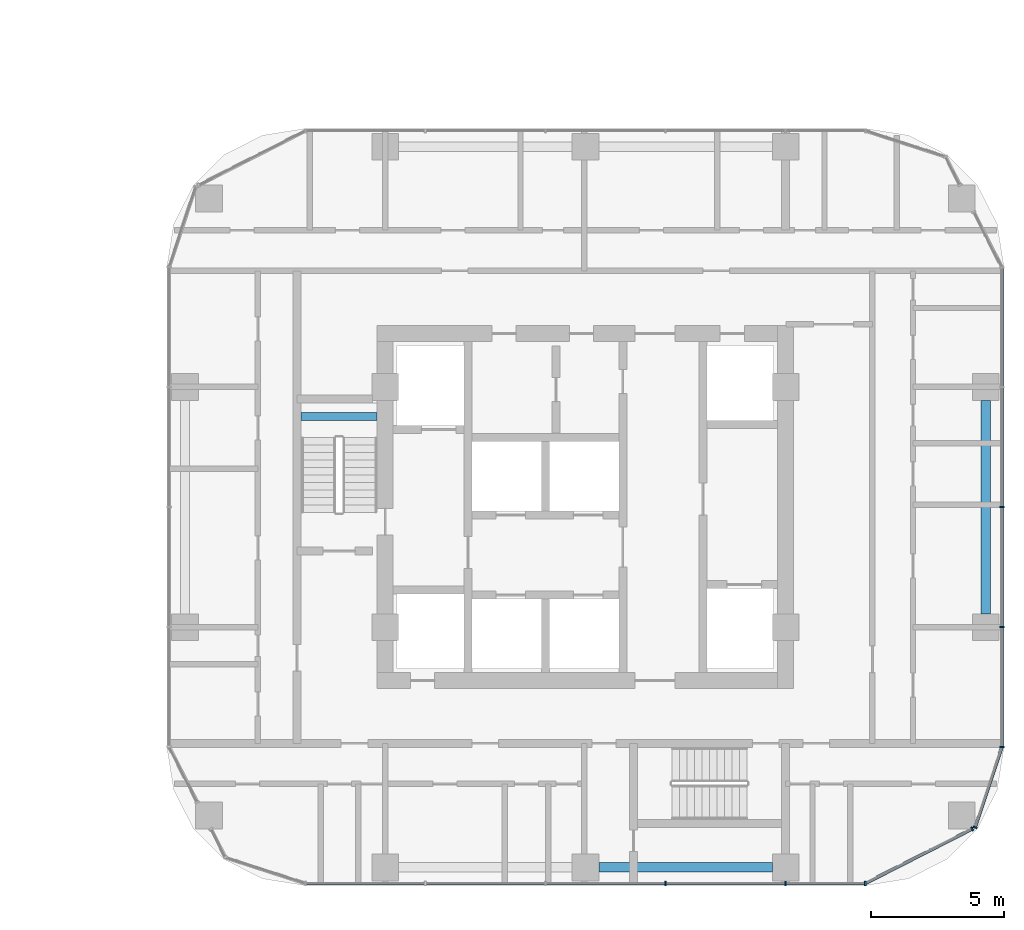
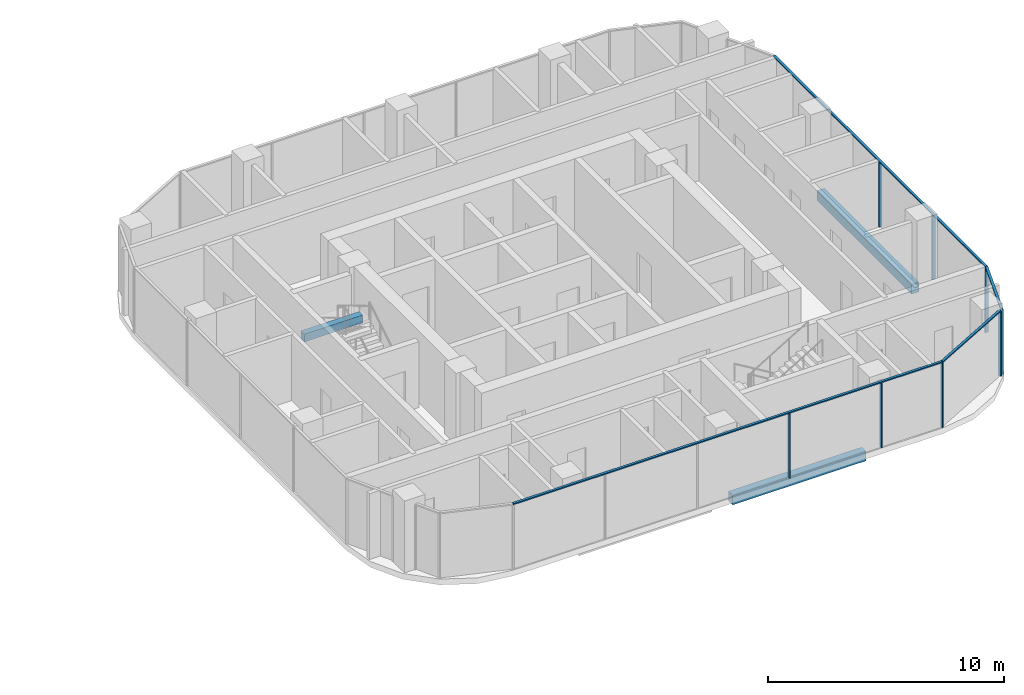
# One storey, part 7 of 30: 12 members, 3 beams, 4 elements without a shape of their own.
"""IFC4 building model written with IfcOpenShell, lengths in metres."""

from ifc_helpers import new_model, si_unit, direction, frame, origin, origin_2d, place, context, subcontext, project, spatial, rectangle, extrude, material, material_profile, profile_set, type_object, element, aggregate, save


model = new_model("IFC4")

# Units and contexts
model_context = context("Model", 3, precision=1e-05, world=origin(), true_north=direction((0.0, 1.0)))
body_context = subcontext(model_context, "Body", "Model", "MODEL_VIEW")
ifc_project = project(units=[si_unit("LENGTHUNIT", "METRE"), si_unit("AREAUNIT", "SQUARE_METRE"), si_unit("VOLUMEUNIT", "CUBIC_METRE"), si_unit("PLANEANGLEUNIT", "RADIAN"), si_unit("MASSUNIT", "GRAM", prefix="KILO")], contexts=[model_context])

# Site, building, storey
site_placement = place(None, origin())
site = spatial("IfcSite", under=ifc_project, at=site_placement, CompositionType="ELEMENT")
building_placement = place(site_placement, origin())
building = spatial("IfcBuilding", under=site, at=building_placement, Name="Ogive Portal Towers", CompositionType="ELEMENT")
storey_placement = place(building_placement, frame((0.0, 0.0, 37.199951171875)))
storey = spatial("IfcBuildingStorey", under=building, at=storey_placement, Name="L07", CompositionType="ELEMENT", Elevation=37.199951171875)

# Beam
ifc_material_1 = material(Name="Concrete C40/50", Category="concrete")
ifc_material_profile_1 = material_profile(ifc_material_1, rectangle(XDim=0.300048828125, YDim=0.39990234375, at=origin_2d()), Name="RC 300x400")
ifc_profile_set_1 = profile_set([ifc_material_profile_1], Name="Concrete C40/50")
beam_type_1 = type_object("IfcBeamType", Name="BEAM RC 300x400", PredefinedType="BEAM", material=ifc_profile_set_1)
beam_1_placement = place(storey_placement, frame((125.85009765625, 34.39990234375, 1.449951171875), z_axis=(1.0, 0.0, 0.0), x_axis=(0.0, 1.0, 0.0)))
element("IfcBeam", 1, at=beam_1_placement, inside=storey, type_object=beam_type_1, Name="Landing beam L07", PredefinedType="BEAM", context=body_context, shape_type="SweptSolid", body=[
    extrude(rectangle(XDim=0.300048828125, YDim=0.39990234375, at=origin_2d()), origin(), (0.0, 0.0, 1.0), 2.849853515625),
])

# Curtain wall, members
ifc_material_2 = material(Name="Glass, clear low-iron insulated glazing", Category="glass")
curtain_wall_type = type_object("IfcCurtainWallType", Name="CW RESIDENCES RIBBON", PredefinedType="NOTDEFINED", material=ifc_material_2)
curtain_wall_1_placement = place(storey_placement, origin())
curtain_wall_1 = element("IfcCurtainWall", 2, at=curtain_wall_1_placement, inside=storey, type_object=curtain_wall_type, Name="B:L07:f02:cw0", PredefinedType="NOTDEFINED")
ifc_material_3 = material(Name="Aluminium 6063 anodised", Category="aluminium")
ifc_material_profile_2 = material_profile(ifc_material_3, rectangle(XDim=0.159912109375, YDim=0.06005859375, at=origin_2d()), Name="AL 60x160")
ifc_profile_set_2 = profile_set([ifc_material_profile_2], Name="Aluminium 6063 anodised")
member_type_1 = type_object("IfcMemberType", Name="CW MULLION 60x160", PredefinedType="MULLION", material=ifc_profile_set_2)
member_1_placement = place(storey_placement, frame((139.5, 16.89990234375, 0.0), z_axis=(0.0, 0.0, 1.0), x_axis=(0.0, 1.0, 0.0)))
member_1 = element("IfcMember", 3, at=member_1_placement, type_object=member_type_1, Name="mullion", PredefinedType="MULLION", context=body_context, shape_type="SweptSolid", body=[
    extrude(rectangle(XDim=0.159912109375, YDim=0.06005859375, at=origin_2d()), origin(), (0.0, 0.0, 1.0), 3.340087890625),
])
member_2_placement = place(storey_placement, frame((144.0, 16.89990234375, 0.0), z_axis=(0.0, 0.0, 1.0), x_axis=(0.0, 1.0, 0.0)))
member_2 = element("IfcMember", 4, at=member_2_placement, type_object=member_type_1, Name="mullion", PredefinedType="MULLION", context=body_context, shape_type="SweptSolid", body=[
    extrude(rectangle(XDim=0.159912109375, YDim=0.06005859375, at=origin_2d()), origin(), (0.0, 0.0, 1.0), 3.340087890625),
])
member_3_placement = place(storey_placement, frame((146.980712890625, 16.89990234375, 0.0), z_axis=(0.0, 0.0, 1.0), x_axis=(0.0, 1.0, 0.0)))
member_3 = element("IfcMember", 5, at=member_3_placement, type_object=member_type_1, Name="mullion", PredefinedType="MULLION", context=body_context, shape_type="SweptSolid", body=[
    extrude(rectangle(XDim=0.159912109375, YDim=0.06005859375, at=origin_2d()), origin(), (0.0, 0.0, 1.0), 3.340087890625),
])

curtain_wall_2_placement = place(storey_placement, origin())
curtain_wall_2 = element("IfcCurtainWall", 6, at=curtain_wall_2_placement, inside=storey, type_object=curtain_wall_type, Name="B:L07:f05:cw0", PredefinedType="NOTDEFINED")
member_4_placement = place(storey_placement, frame((152.10009765625, 22.0126953125, 0.0), z_axis=(0.0, 0.0, 1.0), x_axis=(-1.0, 0.0, 0.0)))
member_4 = element("IfcMember", 7, at=member_4_placement, type_object=member_type_1, Name="mullion", PredefinedType="MULLION", context=body_context, shape_type="SweptSolid", body=[
    extrude(rectangle(XDim=0.159912109375, YDim=0.06005859375, at=origin_2d()), origin(), (0.0, 0.0, 1.0), 3.340087890625),
])
member_5_placement = place(storey_placement, frame((152.10009765625, 26.5, 0.0), z_axis=(0.0, 0.0, 1.0), x_axis=(-1.0, 0.0, 0.0)))
member_5 = element("IfcMember", 8, at=member_5_placement, type_object=member_type_1, Name="mullion", PredefinedType="MULLION", context=body_context, shape_type="SweptSolid", body=[
    extrude(rectangle(XDim=0.159912109375, YDim=0.06005859375, at=origin_2d()), origin(), (0.0, 0.0, 1.0), 3.340087890625),
])
member_6_placement = place(storey_placement, frame((152.10009765625, 31.0, 0.0), z_axis=(0.0, 0.0, 1.0), x_axis=(-1.0, 0.0, 0.0)))
member_6 = element("IfcMember", 9, at=member_6_placement, type_object=member_type_1, Name="mullion", PredefinedType="MULLION", context=body_context, shape_type="SweptSolid", body=[
    extrude(rectangle(XDim=0.159912109375, YDim=0.06005859375, at=origin_2d()), origin(), (0.0, 0.0, 1.0), 3.340087890625),
])

# Curtain wall, member
curtain_wall_3_placement = place(storey_placement, origin())
curtain_wall_3 = element("IfcCurtainWall", 10, at=curtain_wall_3_placement, inside=storey, type_object=curtain_wall_type, Name="B:L07:f03:cwa~0", PredefinedType="NOTDEFINED")
member_7_placement = place(storey_placement, frame((150.988525390625, 18.94189453125, 0.0), z_axis=(0.0, 0.0, 1.0), x_axis=(-0.45399049974, 0.891006524188, 0.0)))
member_7 = element("IfcMember", 11, at=member_7_placement, type_object=member_type_1, Name="mullion", PredefinedType="MULLION", context=body_context, shape_type="SweptSolid", body=[
    extrude(rectangle(XDim=0.159912109375, YDim=0.06005859375, at=origin_2d()), origin(), (0.0, 0.0, 1.0), 3.340087890625),
])

curtain_wall_4_placement = place(storey_placement, origin())
curtain_wall_4 = element("IfcCurtainWall", 12, at=curtain_wall_4_placement, inside=storey, type_object=curtain_wall_type, Name="B:L07:f03:cwa~1", PredefinedType="NOTDEFINED")
member_8_placement = place(storey_placement, frame((151.09912109375, 18.998291015625, 0.0), z_axis=(0.0, 0.0, 1.0), x_axis=(-0.949039718769, 0.315156488428, 0.0)))
member_8 = element("IfcMember", 13, at=member_8_placement, type_object=member_type_1, Name="mullion", PredefinedType="MULLION", context=body_context, shape_type="SweptSolid", body=[
    extrude(rectangle(XDim=0.159912109375, YDim=0.06005859375, at=origin_2d()), origin(), (0.0, 0.0, 1.0), 3.340087890625),
])

# Member
ifc_material_profile_3 = material_profile(ifc_material_3, rectangle(XDim=0.1201171875, YDim=0.06005859375, at=origin_2d()), Name="AL 120x60")
ifc_profile_set_3 = profile_set([ifc_material_profile_3], Name="Aluminium 6063 anodised")
member_type_2 = type_object("IfcMemberType", Name="CW TRANSOM 60x120", PredefinedType="USERDEFINED", material=ifc_profile_set_3)
member_9_placement = place(storey_placement, frame((126.0126953125, 16.89990234375, 3.3701171875), z_axis=(1.0, 0.0, 0.0), x_axis=(0.0, 1.0, 0.0)))
member_9 = element("IfcMember", 14, at=member_9_placement, type_object=member_type_2, Name="transom", ObjectType="TRANSOM", PredefinedType="USERDEFINED", context=body_context, shape_type="SweptSolid", body=[
    extrude(rectangle(XDim=0.1201171875, YDim=0.06005859375, at=origin_2d()), origin(), (0.0, 0.0, 1.0), 20.968017578125),
])

aggregate(curtain_wall_1, [member_9, member_1, member_2, member_3])

member_10_placement = place(storey_placement, frame((152.10009765625, 22.0126953125, 3.3701171875), z_axis=(0.0, 1.0, 0.0), x_axis=(-1.0, 0.0, 0.0)))
member_10 = element("IfcMember", 15, at=member_10_placement, type_object=member_type_2, Name="transom", ObjectType="TRANSOM", PredefinedType="USERDEFINED", context=body_context, shape_type="SweptSolid", body=[
    extrude(rectangle(XDim=0.1201171875, YDim=0.06005859375, at=origin_2d()), origin(), (0.0, 0.0, 1.0), 17.968017578125),
])

aggregate(curtain_wall_2, [member_10, member_4, member_5, member_6])

member_11_placement = place(storey_placement, frame((146.980712890625, 16.89990234375, 3.3701171875), z_axis=(0.89101464276, 0.453974565792, 0.0), x_axis=(-0.453974565792, 0.89101464276, 0.0)))
member_11 = element("IfcMember", 16, at=member_11_placement, type_object=member_type_2, Name="transom", ObjectType="TRANSOM", PredefinedType="USERDEFINED", context=body_context, shape_type="SweptSolid", body=[
    extrude(rectangle(XDim=0.1201171875, YDim=0.06005859375, at=origin_2d()), origin(), (0.0, 0.0, 1.0), 4.498046875),
])

aggregate(curtain_wall_3, [member_11, member_7])

member_12_placement = place(storey_placement, frame((151.09912109375, 18.998291015625, 3.3701171875), z_axis=(0.315143772541, 0.949043941358, 0.0), x_axis=(-0.949043941358, 0.315143772541, 0.0)))
member_12 = element("IfcMember", 17, at=member_12_placement, type_object=member_type_2, Name="transom", ObjectType="TRANSOM", PredefinedType="USERDEFINED", context=body_context, shape_type="SweptSolid", body=[
    extrude(rectangle(XDim=0.1201171875, YDim=0.06005859375, at=origin_2d()), origin(), (0.0, 0.0, 1.0), 3.17626953125),
])

aggregate(curtain_wall_4, [member_12, member_8])

# Beams
ifc_material_4 = material(Name="Concrete C50/60", Category="concrete")
ifc_material_profile_4 = material_profile(ifc_material_4, rectangle(XDim=0.35009765625, YDim=0.5, at=origin_2d()), Name="RC 350x500")
ifc_profile_set_4 = profile_set([ifc_material_profile_4], Name="Concrete C50/60")
beam_type_2 = type_object("IfcBeamType", Name="SPANDREL BEAM RC 350x500", PredefinedType="BEAM", material=ifc_profile_set_4)
beam_2_placement = place(storey_placement, frame((137.0, 17.5, -0.550048828125), z_axis=(1.0, 0.0, 0.0), x_axis=(0.0, 1.0, 0.0)))
element("IfcBeam", 18, at=beam_2_placement, inside=storey, type_object=beam_type_2, Name="Spandrel beam L07", PredefinedType="BEAM", context=body_context, shape_type="SweptSolid", body=[
    extrude(rectangle(XDim=0.35009765625, YDim=0.5, at=origin_2d()), origin(), (0.0, 0.0, 1.0), 6.5),
])
beam_3_placement = place(storey_placement, frame((151.5, 27.0, -0.550048828125), z_axis=(0.0, 1.0, 0.0), x_axis=(-1.0, 0.0, 0.0)))
element("IfcBeam", 19, at=beam_3_placement, inside=storey, type_object=beam_type_2, Name="Spandrel beam L07", PredefinedType="BEAM", context=body_context, shape_type="SweptSolid", body=[
    extrude(rectangle(XDim=0.35009765625, YDim=0.5, at=origin_2d()), origin(), (0.0, 0.0, 1.0), 8.0),
])

save(model, "model.ifc")
